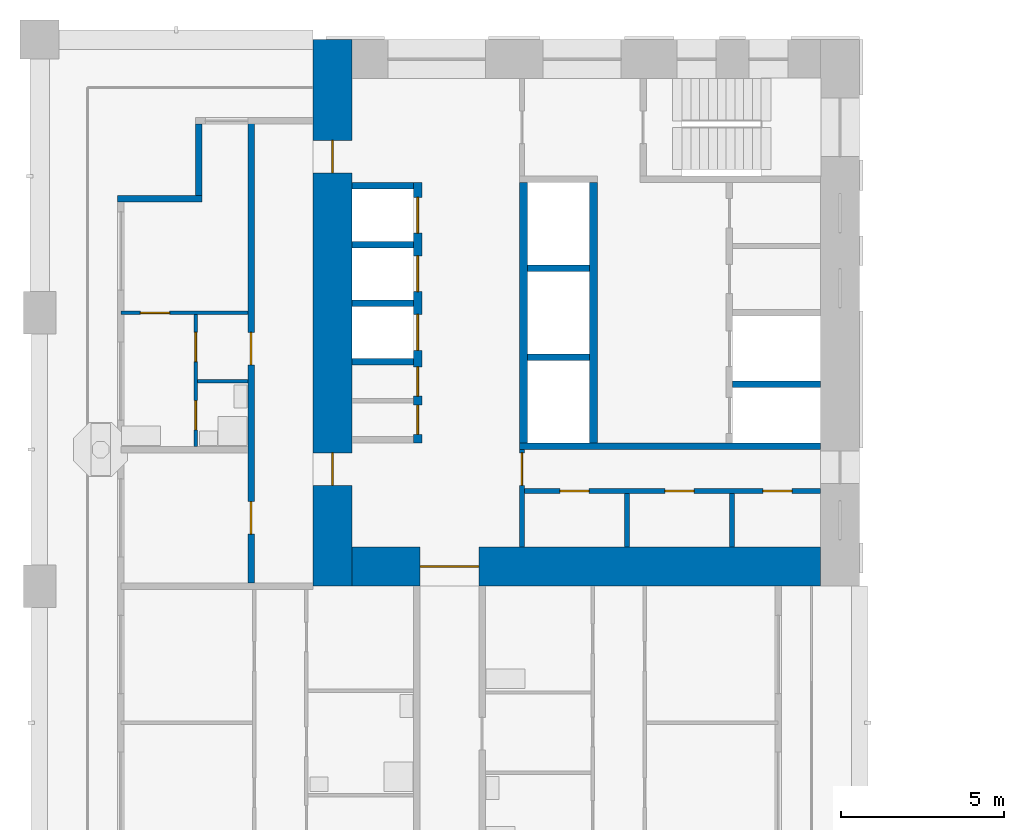
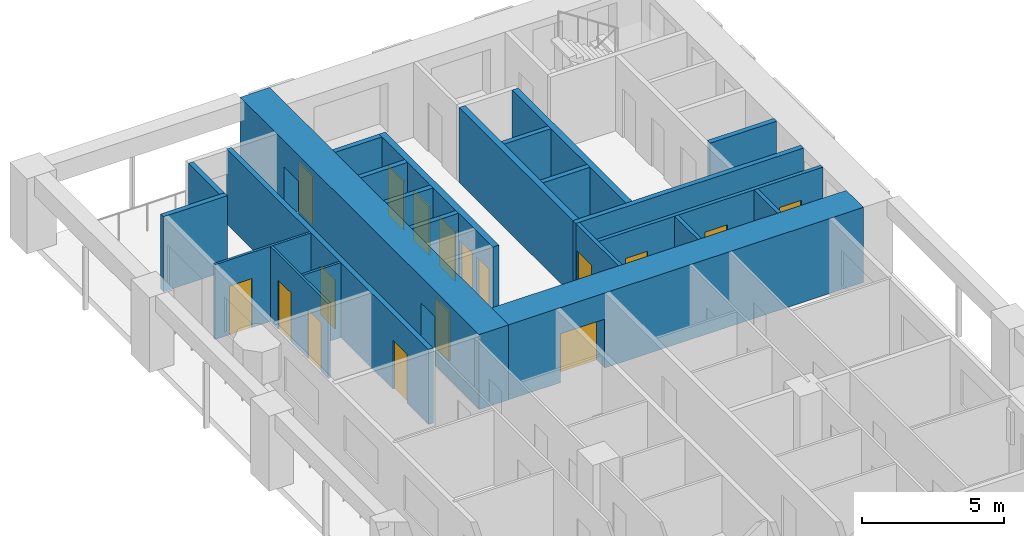
# One storey, part 7 of 19: 23 walls, 17 doors, 17 openings.
"""IFC4 building model written with IfcOpenShell, lengths in metres."""

from ifc_helpers import new_model, si_unit, direction, frame, frame_2d, origin, place, context, subcontext, project, spatial, rectangle, extrude, material, layer, layer_set, type_object, element, fill, save


model = new_model("IFC4")

# Units and contexts
model_context = context("Model", 3, precision=1e-05, world=origin(), true_north=direction((0.0, 1.0)))
body_context = subcontext(model_context, "Body", "Model", "MODEL_VIEW")
ifc_project = project(units=[si_unit("LENGTHUNIT", "METRE"), si_unit("AREAUNIT", "SQUARE_METRE"), si_unit("VOLUMEUNIT", "CUBIC_METRE"), si_unit("PLANEANGLEUNIT", "RADIAN"), si_unit("MASSUNIT", "GRAM", prefix="KILO")], contexts=[model_context])

# Site, building, storey
site_placement = place(None, origin())
site = spatial("IfcSite", under=ifc_project, at=site_placement, CompositionType="ELEMENT")
building_placement = place(site_placement, origin())
building = spatial("IfcBuilding", under=site, at=building_placement, Name="Vermilion Gate Residences", CompositionType="ELEMENT")
storey_placement = place(building_placement, frame((0.0, 0.0, 119.699951171875)))
storey = spatial("IfcBuildingStorey", under=building, at=storey_placement, Name="L30", CompositionType="ELEMENT", Elevation=119.699951171875)

# Wall, opening, door
ifc_material_1 = material(Name="Masonry blockwork", Category="masonry")
ifc_layer_1 = layer(ifc_material_1, 0.14990234375)
ifc_layer_set_1 = layer_set([ifc_layer_1], Name="BLOCKWORK PARTITION 150 EI 120")
wall_type_1 = type_object("IfcWallType", Name="BLOCKWORK PARTITION 150 EI 120", PredefinedType="PARTITIONING", material=ifc_layer_set_1)
wall_1_placement = place(storey_placement, frame((14.824951171875, 46.199951171875, 0.0), z_axis=(0.0, 0.0, 1.0), x_axis=(0.0, -1.0, 0.0)))
wall_1 = element("IfcWall", 1, at=wall_1_placement, inside=storey, type_object=wall_type_1, Name="Core room partition B30-ES-S", PredefinedType="PARTITIONING", context=body_context, shape_type="SweptSolid", body=[
    extrude(rectangle(XDim=3.0, YDim=0.14990234375, at=frame_2d((1.5, 0.0))), origin(), (0.0, 0.0, 1.0), 3.219970703125),
])
opening_1_placement = place(wall_1_placement, frame((0.10009765625, 0.0, 0.0)))
opening_1 = element("IfcOpeningElement", 2, at=opening_1_placement, cuts=wall_1, Name="Opening DK30115", PredefinedType="OPENING", context=body_context, shape_type="SweptSolid", body=[
    extrude(rectangle(XDim=1.0, YDim=2.10009765625, at=frame_2d((0.5, 1.050048828125))), frame((0.0, 0.0849609375, 0.0), z_axis=(0.0, -1.0, 0.0), x_axis=(1.0, 0.0, 0.0)), (0.0, 0.0, 1.0), 0.169921875),
])
ifc_material_2 = material(Name="Steel", Category="steel")
door_type_1 = type_object("IfcDoorType", Name="FIRE DOOR FD60 1000 X 2100", OperationType="SINGLE_SWING_LEFT", PredefinedType="DOOR", material=ifc_material_2)
door_1_placement = place(opening_1_placement, frame((1.0, 0.0, 0.0), z_axis=(0.0, 0.0, 1.0), x_axis=(-1.0, 0.0, 0.0)))
door_1 = element("IfcDoor", 3, at=door_1_placement, inside=storey, type_object=door_type_1, Name="Service corridor door B30", OperationType="SINGLE_SWING_LEFT", OverallHeight=2.10009765625, OverallWidth=1.0, PredefinedType="DOOR", context=body_context, shape_type="SweptSolid", body=[
    extrude(rectangle(XDim=1.0, YDim=2.10009765625, at=frame_2d((0.5, 1.050048828125))), frame((0.0, 0.02490234375, 0.0), z_axis=(0.0, -1.0, 0.0), x_axis=(1.0, 0.0, 0.0)), (0.0, 0.0, 1.0), 0.050048828125),
])
fill(opening_1, door_1)

# Walls
for number, where, z_axis, x_axis, name in (
    (4, (18.054931640625, 44.85009765625, 0.0), (0.0, 0.0, 1.0), (0.0, -1.0, 0.0), "Core room partition B30-ES-P0"),
    (5, (21.284912109375, 44.85009765625, 0.0), (0.0, 0.0, 1.0), (0.0, -1.0, 0.0), "Core room partition B30-ES-P1"),
):
    element("IfcWall", number, at=place(storey_placement, frame(where, z_axis=z_axis, x_axis=x_axis)), inside=storey, type_object=wall_type_1, Name=name, PredefinedType="PARTITIONING", context=body_context, shape_type="SweptSolid", body=[
        extrude(rectangle(XDim=1.650146484375, YDim=0.14990234375, at=frame_2d((0.8251953125, 0.0))), origin(), (0.0, 0.0, 1.0), 3.219970703125),
    ])

# Wall, openings, doors
wall_2_placement = place(storey_placement, frame((14.89990234375, 44.925048828125, 0.0), z_axis=(0.0, 0.0, 1.0), x_axis=(1.0, 0.0, 0.0)))
wall_2 = element("IfcWall", 6, at=wall_2_placement, inside=storey, type_object=wall_type_1, Name="Core room partition B30-ES-W", PredefinedType="PARTITIONING", context=body_context, shape_type="SweptSolid", body=[
    extrude(rectangle(XDim=9.10009765625, YDim=0.14990234375, at=frame_2d((4.550048828125, 0.0))), origin(), (0.0, 0.0, 1.0), 3.219970703125),
])
opening_2_placement = place(wall_2_placement, frame((1.090087890625, 0.0, 0.0)))
opening_2 = element("IfcOpeningElement", 7, at=opening_2_placement, cuts=wall_2, Name="Opening DK30116", PredefinedType="OPENING", context=body_context, shape_type="SweptSolid", body=[
    extrude(rectangle(XDim=0.89990234375, YDim=2.10009765625, at=frame_2d((0.449951171875, 1.050048828125))), frame((0.0, 0.0849609375, 0.0), z_axis=(0.0, -1.0, 0.0), x_axis=(1.0, 0.0, 0.0)), (0.0, 0.0, 1.0), 0.169921875),
])
opening_3_placement = place(wall_2_placement, frame((4.320068359375, 0.0, 0.0)))
opening_3 = element("IfcOpeningElement", 8, at=opening_3_placement, cuts=wall_2, Name="Opening DK30117", PredefinedType="OPENING", context=body_context, shape_type="SweptSolid", body=[
    extrude(rectangle(XDim=0.89990234375, YDim=2.10009765625, at=frame_2d((0.449951171875, 1.050048828125))), frame((0.0, 0.0849609375, 0.0), z_axis=(0.0, -1.0, 0.0), x_axis=(1.0, 0.0, 0.0)), (0.0, 0.0, 1.0), 0.169921875),
])
opening_4_placement = place(wall_2_placement, frame((7.330078125, 0.0, 0.0)))
opening_4 = element("IfcOpeningElement", 9, at=opening_4_placement, cuts=wall_2, Name="Opening DK30118", PredefinedType="OPENING", context=body_context, shape_type="SweptSolid", body=[
    extrude(rectangle(XDim=0.89990234375, YDim=2.10009765625, at=frame_2d((0.449951171875, 1.050048828125))), frame((0.0, 0.0849609375, 0.0), z_axis=(0.0, -1.0, 0.0), x_axis=(1.0, 0.0, 0.0)), (0.0, 0.0, 1.0), 0.169921875),
])
ifc_material_3 = material(Name="Steel", Category="steel")
door_type_2 = type_object("IfcDoorType", Name="SERVICE ROOM DOOR FD60 900 X 2100", OperationType="SINGLE_SWING_LEFT", PredefinedType="DOOR", material=ifc_material_3)
door_2_placement = place(opening_2_placement, frame((0.89990234375, 0.0, 0.0), z_axis=(0.0, 0.0, 1.0), x_axis=(-1.0, 0.0, 0.0)))
door_2 = element("IfcDoor", 10, at=door_2_placement, inside=storey, type_object=door_type_2, Name="Parcel room B30", OperationType="SINGLE_SWING_LEFT", OverallHeight=2.10009765625, OverallWidth=0.89990234375, PredefinedType="DOOR", context=body_context, shape_type="SweptSolid", body=[
    extrude(rectangle(XDim=0.89990234375, YDim=2.10009765625, at=frame_2d((0.449951171875, 1.050048828125))), frame((0.0, 0.02490234375, 0.0), z_axis=(0.0, -1.0, 0.0), x_axis=(1.0, 0.0, 0.0)), (0.0, 0.0, 1.0), 0.050048828125),
])
fill(opening_2, door_2)
door_3_placement = place(opening_3_placement, frame((0.89990234375, 0.0, 0.0), z_axis=(0.0, 0.0, 1.0), x_axis=(-1.0, 0.0, 0.0)))
door_3 = element("IfcDoor", 11, at=door_3_placement, inside=storey, type_object=door_type_2, Name="Cleaner's store B30", OperationType="SINGLE_SWING_RIGHT", OverallHeight=2.10009765625, OverallWidth=0.89990234375, PredefinedType="DOOR", context=body_context, shape_type="SweptSolid", body=[
    extrude(rectangle(XDim=0.89990234375, YDim=2.10009765625, at=frame_2d((0.449951171875, 1.050048828125))), frame((0.0, 0.02490234375, 0.0), z_axis=(0.0, -1.0, 0.0), x_axis=(1.0, 0.0, 0.0)), (0.0, 0.0, 1.0), 0.050048828125),
])
fill(opening_3, door_3)
door_4_placement = place(opening_4_placement, frame((0.89990234375, 0.0, 0.0), z_axis=(0.0, 0.0, 1.0), x_axis=(-1.0, 0.0, 0.0)))
door_4 = element("IfcDoor", 12, at=door_4_placement, inside=storey, type_object=door_type_2, Name="Electrical room B30", OperationType="SINGLE_SWING_LEFT", OverallHeight=2.10009765625, OverallWidth=0.89990234375, PredefinedType="DOOR", context=body_context, shape_type="SweptSolid", body=[
    extrude(rectangle(XDim=0.89990234375, YDim=2.10009765625, at=frame_2d((0.449951171875, 1.050048828125))), frame((0.0, 0.02490234375, 0.0), z_axis=(0.0, -1.0, 0.0), x_axis=(1.0, 0.0, 0.0)), (0.0, 0.0, 1.0), 0.050048828125),
])
fill(opening_4, door_4)

# Walls
ifc_material_4 = material(Name="Insulated steel stud wall with terracotta rainscreen", Category="masonry")
ifc_layer_2 = layer(ifc_material_4, 0.199951171875)
ifc_layer_set_2 = layer_set([ifc_layer_2], Name="EXTERNAL WALL 200 TERRACOTTA RAINSCREEN")
wall_type_2 = type_object("IfcWallType", Name="EXTERNAL WALL 200 TERRACOTTA RAINSCREEN", PredefinedType="SOLIDWALL", material=ifc_layer_set_2)
wall_3_placement = place(storey_placement, frame((4.89990234375, 56.199951171875, 0.0), z_axis=(0.0, 0.0, 1.0), x_axis=(0.0, -1.0, 0.0)))
element("IfcWall", 13, at=wall_3_placement, inside=storey, type_object=wall_type_2, Name="External wall", PredefinedType="SOLIDWALL", context=body_context, shape_type="SweptSolid", body=[
    extrude(rectangle(XDim=2.199951171875, YDim=0.199951171875, at=frame_2d((1.10009765625, 0.0))), origin(), (0.0, 0.0, 1.0), 3.219970703125),
])
wall_4_placement = place(storey_placement, frame((5.0, 53.89990234375, 0.0), z_axis=(0.0, 0.0, 1.0), x_axis=(-1.0, 0.0, 0.0)))
element("IfcWall", 14, at=wall_4_placement, inside=storey, type_object=wall_type_2, Name="External wall", PredefinedType="SOLIDWALL", context=body_context, shape_type="SweptSolid", body=[
    extrude(rectangle(XDim=2.60009765625, YDim=0.199951171875, at=frame_2d((1.300048828125, 0.0))), origin(), (0.0, 0.0, 1.0), 3.219970703125),
])
ifc_material_5 = material(Name="Plasterboard on steel studs", Category="steel")
ifc_layer_3 = layer(ifc_material_5, 0.10009765625)
ifc_layer_set_3 = layer_set([ifc_layer_3], Name="PARTITION 100")
wall_type_3 = type_object("IfcWallType", Name="PARTITION 100", PredefinedType="PARTITIONING", material=ifc_layer_set_3)
wall_5_placement = place(storey_placement, frame((4.85009765625, 48.300048828125, 0.0), z_axis=(0.0, 0.0, 1.0), x_axis=(1.0, 0.0, 0.0)))
element("IfcWall", 15, at=wall_5_placement, inside=storey, type_object=wall_type_3, Name="Partition", PredefinedType="PARTITIONING", context=body_context, shape_type="SweptSolid", body=[
    extrude(rectangle(XDim=1.5498046875, YDim=0.10009765625, at=frame_2d((0.77490234375, 0.0))), origin(), (0.0, 0.0, 1.0), 3.219970703125),
])

# Wall, opening, door
wall_6_placement = place(storey_placement, frame((2.5, 50.39990234375, 0.0), z_axis=(0.0, 0.0, 1.0), x_axis=(1.0, 0.0, 0.0)))
wall_6 = element("IfcWall", 16, at=wall_6_placement, inside=storey, type_object=wall_type_3, Name="Partition", PredefinedType="PARTITIONING", context=body_context, shape_type="SweptSolid", body=[
    extrude(rectangle(XDim=3.89990234375, YDim=0.10009765625, at=frame_2d((1.949951171875, 0.0))), origin(), (0.0, 0.0, 1.0), 3.219970703125),
])
opening_5_placement = place(wall_6_placement, frame((0.60009765625, 0.0, 0.0)))
opening_5 = element("IfcOpeningElement", 17, at=opening_5_placement, cuts=wall_6, Name="Opening DA30017", PredefinedType="OPENING", context=body_context, shape_type="SweptSolid", body=[
    extrude(rectangle(XDim=0.89990234375, YDim=2.10009765625, at=frame_2d((0.449951171875, 1.050048828125))), frame((0.0, 0.06005859375, 0.0), z_axis=(0.0, -1.0, 0.0), x_axis=(1.0, 0.0, 0.0)), (0.0, 0.0, 1.0), 0.1201171875),
])
ifc_material_6 = material(Name="Timber", Category="wood")
door_type_3 = type_object("IfcDoorType", Name="INTERIOR DOOR 900 X 2100", OperationType="SINGLE_SWING_LEFT", PredefinedType="DOOR", material=ifc_material_6)
door_5_placement = place(opening_5_placement, frame((0.89990234375, 0.0, 0.0), z_axis=(0.0, 0.0, 1.0), x_axis=(-1.0, 0.0, 0.0)))
door_5 = element("IfcDoor", 18, at=door_5_placement, inside=storey, type_object=door_type_3, Name="Interior door", OperationType="SINGLE_SWING_RIGHT", OverallHeight=2.10009765625, OverallWidth=0.89990234375, PredefinedType="DOOR", context=body_context, shape_type="SweptSolid", body=[
    extrude(rectangle(XDim=0.89990234375, YDim=2.10009765625, at=frame_2d((0.449951171875, 1.050048828125))), frame((0.0, 0.02490234375, 0.0), z_axis=(0.0, -1.0, 0.0), x_axis=(1.0, 0.0, 0.0)), (0.0, 0.0, 1.0), 0.050048828125),
])
fill(opening_5, door_5)

# Wall, openings, doors
wall_7_placement = place(storey_placement, frame((4.800048828125, 46.300048828125, 0.0), z_axis=(0.0, 0.0, 1.0), x_axis=(0.0, 1.0, 0.0)))
wall_7 = element("IfcWall", 19, at=wall_7_placement, inside=storey, type_object=wall_type_3, Name="Partition", PredefinedType="PARTITIONING", context=body_context, shape_type="SweptSolid", body=[
    extrude(rectangle(XDim=4.050048828125, YDim=0.10009765625, at=frame_2d((2.02490234375, 0.0))), origin(), (0.0, 0.0, 1.0), 3.219970703125),
])
opening_6_placement = place(wall_7_placement, frame((2.60009765625, 0.0, 0.0)))
opening_6 = element("IfcOpeningElement", 20, at=opening_6_placement, cuts=wall_7, Name="Opening DA30018", PredefinedType="OPENING", context=body_context, shape_type="SweptSolid", body=[
    extrude(rectangle(XDim=0.89990234375, YDim=2.10009765625, at=frame_2d((0.449951171875, 1.050048828125))), frame((0.0, 0.06005859375, 0.0), z_axis=(0.0, -1.0, 0.0), x_axis=(1.0, 0.0, 0.0)), (0.0, 0.0, 1.0), 0.1201171875),
])
opening_7_placement = place(wall_7_placement, frame((0.5, 0.0, 0.0)))
opening_7 = element("IfcOpeningElement", 21, at=opening_7_placement, cuts=wall_7, Name="Opening DA30019", PredefinedType="OPENING", context=body_context, shape_type="SweptSolid", body=[
    extrude(rectangle(XDim=0.89990234375, YDim=2.10009765625, at=frame_2d((0.449951171875, 1.050048828125))), frame((0.0, 0.06005859375, 0.0), z_axis=(0.0, -1.0, 0.0), x_axis=(1.0, 0.0, 0.0)), (0.0, 0.0, 1.0), 0.1201171875),
])
door_6_placement = place(opening_6_placement, origin())
door_6 = element("IfcDoor", 22, at=door_6_placement, inside=storey, type_object=door_type_3, Name="Interior door", OperationType="SINGLE_SWING_RIGHT", OverallHeight=2.10009765625, OverallWidth=0.89990234375, PredefinedType="DOOR", context=body_context, shape_type="SweptSolid", body=[
    extrude(rectangle(XDim=0.89990234375, YDim=2.10009765625, at=frame_2d((0.449951171875, 1.050048828125))), frame((0.0, 0.02490234375, 0.0), z_axis=(0.0, -1.0, 0.0), x_axis=(1.0, 0.0, 0.0)), (0.0, 0.0, 1.0), 0.050048828125),
])
fill(opening_6, door_6)
door_7_placement = place(opening_7_placement, frame((0.89990234375, 0.0, 0.0), z_axis=(0.0, 0.0, 1.0), x_axis=(-1.0, 0.0, 0.0)))
door_7 = element("IfcDoor", 23, at=door_7_placement, inside=storey, type_object=door_type_3, Name="Interior door", OperationType="SINGLE_SWING_RIGHT", OverallHeight=2.10009765625, OverallWidth=0.89990234375, PredefinedType="DOOR", context=body_context, shape_type="SweptSolid", body=[
    extrude(rectangle(XDim=0.89990234375, YDim=2.10009765625, at=frame_2d((0.449951171875, 1.050048828125))), frame((0.0, 0.02490234375, 0.0), z_axis=(0.0, -1.0, 0.0), x_axis=(1.0, 0.0, 0.0)), (0.0, 0.0, 1.0), 0.050048828125),
])
fill(opening_7, door_7)

ifc_material_7 = material(Name="Fire-rated plasterboard on steel studs", Category="steel")
ifc_layer_4 = layer(ifc_material_7, 0.199951171875)
ifc_layer_set_4 = layer_set([ifc_layer_4], Name="PARTY WALL 200 EI 120")
wall_type_4 = type_object("IfcWallType", Name="PARTY WALL 200 EI 120", PredefinedType="PARTITIONING", material=ifc_layer_set_4)
wall_8_placement = place(storey_placement, frame((6.5, 42.10009765625, 0.0), z_axis=(0.0, 0.0, 1.0), x_axis=(0.0, 1.0, 0.0)))
wall_8 = element("IfcWall", 24, at=wall_8_placement, inside=storey, type_object=wall_type_4, Name="Party and corridor wall", PredefinedType="PARTITIONING", context=body_context, shape_type="SweptSolid", body=[
    extrude(rectangle(XDim=14.199951171875, YDim=0.199951171875, at=frame_2d((7.10009765625, 0.0))), origin(), (0.0, 0.0, 1.0), 3.219970703125),
])
opening_8_placement = place(wall_8_placement, frame((1.5, 0.0, 0.0)))
opening_8 = element("IfcOpeningElement", 25, at=opening_8_placement, cuts=wall_8, Name="Opening DA30020", PredefinedType="OPENING", context=body_context, shape_type="SweptSolid", body=[
    extrude(rectangle(XDim=1.0, YDim=2.10009765625, at=frame_2d((0.5, 1.050048828125))), frame((0.0, 0.10986328125, 0.0), z_axis=(0.0, -1.0, 0.0), x_axis=(1.0, 0.0, 0.0)), (0.0, 0.0, 1.0), 0.219970703125),
])
opening_9_placement = place(wall_8_placement, frame((6.699951171875, 0.0, 0.0)))
opening_9 = element("IfcOpeningElement", 26, at=opening_9_placement, cuts=wall_8, Name="Opening DA30021", PredefinedType="OPENING", context=body_context, shape_type="SweptSolid", body=[
    extrude(rectangle(XDim=1.0, YDim=2.10009765625, at=frame_2d((0.5, 1.050048828125))), frame((0.0, 0.10986328125, 0.0), z_axis=(0.0, -1.0, 0.0), x_axis=(1.0, 0.0, 0.0)), (0.0, 0.0, 1.0), 0.219970703125),
])
ifc_material_8 = material(Name="Steel", Category="steel")
door_type_4 = type_object("IfcDoorType", Name="ENTRANCE DOOR 1000 X 2100 FD30", OperationType="SINGLE_SWING_LEFT", PredefinedType="DOOR", material=ifc_material_8)
door_8_placement = place(opening_8_placement, origin())
door_8 = element("IfcDoor", 27, at=door_8_placement, inside=storey, type_object=door_type_4, Name="Entrance door", OperationType="SINGLE_SWING_LEFT", OverallHeight=2.10009765625, OverallWidth=1.0, PredefinedType="DOOR", context=body_context, shape_type="SweptSolid", body=[
    extrude(rectangle(XDim=1.0, YDim=2.10009765625, at=frame_2d((0.5, 1.050048828125))), frame((0.0, 0.02490234375, 0.0), z_axis=(0.0, -1.0, 0.0), x_axis=(1.0, 0.0, 0.0)), (0.0, 0.0, 1.0), 0.050048828125),
])
fill(opening_8, door_8)
door_9_placement = place(opening_9_placement, origin())
door_9 = element("IfcDoor", 28, at=door_9_placement, inside=storey, type_object=door_type_4, Name="Entrance door", OperationType="SINGLE_SWING_LEFT", OverallHeight=2.10009765625, OverallWidth=1.0, PredefinedType="DOOR", context=body_context, shape_type="SweptSolid", body=[
    extrude(rectangle(XDim=1.0, YDim=2.10009765625, at=frame_2d((0.5, 1.050048828125))), frame((0.0, 0.02490234375, 0.0), z_axis=(0.0, -1.0, 0.0), x_axis=(1.0, 0.0, 0.0)), (0.0, 0.0, 1.0), 0.050048828125),
])
fill(opening_9, door_9)

# Walls
ifc_material_9 = material(Name="Concrete C60", Category="concrete")
ifc_layer_5 = layer(ifc_material_9, 0.199951171875)
ifc_layer_set_5 = layer_set([ifc_layer_5], Name="RC CORE INTERNAL WALL 200 C60")
wall_type_5 = type_object("IfcWallType", Name="RC CORE INTERNAL WALL 200 C60", PredefinedType="SHEAR", material=ifc_layer_set_5)
for number, where, z_axis, x_axis, name in (
    (29, (9.60009765625, 54.300048828125, 0.0), (0.0, 0.0, 1.0), (1.0, 0.0, 0.0), "Core internal wall B30-LR-D0"),
    (30, (9.60009765625, 52.5, 0.0), (0.0, 0.0, 1.0), (1.0, 0.0, 0.0), "Core internal wall B30-LR-D1"),
    (31, (9.60009765625, 50.699951171875, 0.0), (0.0, 0.0, 1.0), (1.0, 0.0, 0.0), "Core internal wall B30-LR-D2"),
    (32, (9.60009765625, 48.89990234375, 0.0), (0.0, 0.0, 1.0), (1.0, 0.0, 0.0), "Core internal wall B30-LR-D3"),
    (33, (15.0, 51.7666015625, 0.0), (0.0, 0.0, 1.0), (1.0, 0.0, 0.0), "Core internal wall B30-HR-D1"),
    (34, (15.0, 49.033447265625, 0.0), (0.0, 0.0, 1.0), (1.0, 0.0, 0.0), "Core internal wall B30-HR-D2"),
):
    element("IfcWall", number, at=place(storey_placement, frame(where, z_axis=z_axis, x_axis=x_axis)), inside=storey, type_object=wall_type_5, Name=name, PredefinedType="SHEAR", context=body_context, shape_type="SweptSolid", body=[
        extrude(rectangle(XDim=1.89990234375, YDim=0.199951171875, at=frame_2d((0.949951171875, 0.0))), origin(), (0.0, 0.0, 1.0), 3.219970703125),
    ])
wall_9_placement = place(storey_placement, frame((21.300048828125, 48.199951171875, 0.0), z_axis=(0.0, 0.0, 1.0), x_axis=(1.0, 0.0, 0.0)))
element("IfcWall", 35, at=wall_9_placement, inside=storey, type_object=wall_type_5, Name="Core internal wall B30-FF-D1", PredefinedType="SHEAR", context=body_context, shape_type="SweptSolid", body=[
    extrude(rectangle(XDim=2.699951171875, YDim=0.199951171875, at=frame_2d((1.35009765625, 0.0))), origin(), (0.0, 0.0, 1.0), 3.219970703125),
])
wall_10_placement = place(storey_placement, frame((14.75, 46.300048828125, 0.0), z_axis=(0.0, 0.0, 1.0), x_axis=(1.0, 0.0, 0.0)))
element("IfcWall", 36, at=wall_10_placement, inside=storey, type_object=wall_type_5, Name="Core internal wall B30-EDIV", PredefinedType="SHEAR", context=body_context, shape_type="SweptSolid", body=[
    extrude(rectangle(XDim=9.25, YDim=0.199951171875, at=frame_2d((4.625, 0.0))), origin(), (0.0, 0.0, 1.0), 3.219970703125),
])

# Wall, openings, doors
ifc_material_10 = material(Name="Concrete C70", Category="concrete")
ifc_layer_6 = layer(ifc_material_10, 1.199951171875)
ifc_layer_set_6 = layer_set([ifc_layer_6], Name="RC CORE WALL 1200 C70")
wall_type_6 = type_object("IfcWallType", Name="RC CORE WALL 1200 C70", PredefinedType="SHEAR", material=ifc_layer_set_6)
wall_11_placement = place(storey_placement, frame((9.0, 58.800048828125, 0.0), z_axis=(0.0, 0.0, 1.0), x_axis=(0.0, -1.0, 0.0)))
wall_11 = element("IfcWall", 37, at=wall_11_placement, inside=storey, type_object=wall_type_6, Name="Core wall B30-OUT-B0", PredefinedType="SHEAR", context=body_context, shape_type="SweptSolid", body=[
    extrude(rectangle(XDim=16.800048828125, YDim=1.199951171875, at=frame_2d((8.39990234375, 0.0))), origin(), (0.0, 0.0, 1.0), 3.219970703125),
])
opening_10_placement = place(wall_11_placement, frame((3.10009765625, 0.0, 0.0)))
opening_10 = element("IfcOpeningElement", 38, at=opening_10_placement, cuts=wall_11, Name="Opening DK30101", PredefinedType="OPENING", context=body_context, shape_type="SweptSolid", body=[
    extrude(rectangle(XDim=1.0, YDim=2.10009765625, at=frame_2d((0.5, 1.050048828125))), frame((0.0, 0.60986328125, 0.0), z_axis=(0.0, -1.0, 0.0), x_axis=(1.0, 0.0, 0.0)), (0.0, 0.0, 1.0), 1.219970703125),
])
opening_11_placement = place(wall_11_placement, frame((12.699951171875, 0.0, 0.0)))
opening_11 = element("IfcOpeningElement", 39, at=opening_11_placement, cuts=wall_11, Name="Opening DK30102", PredefinedType="OPENING", context=body_context, shape_type="SweptSolid", body=[
    extrude(rectangle(XDim=1.0, YDim=2.10009765625, at=frame_2d((0.5, 1.050048828125))), frame((0.0, 0.60986328125, 0.0), z_axis=(0.0, -1.0, 0.0), x_axis=(1.0, 0.0, 0.0)), (0.0, 0.0, 1.0), 1.219970703125),
])
door_10_placement = place(opening_10_placement, origin())
door_10 = element("IfcDoor", 40, at=door_10_placement, inside=storey, type_object=door_type_1, Name="Core lobby side door B30", OperationType="SINGLE_SWING_RIGHT", OverallHeight=2.10009765625, OverallWidth=1.0, PredefinedType="DOOR", context=body_context, shape_type="SweptSolid", body=[
    extrude(rectangle(XDim=1.0, YDim=2.10009765625, at=frame_2d((0.5, 1.050048828125))), frame((0.0, 0.02490234375, 0.0), z_axis=(0.0, -1.0, 0.0), x_axis=(1.0, 0.0, 0.0)), (0.0, 0.0, 1.0), 0.050048828125),
])
fill(opening_10, door_10)
door_11_placement = place(opening_11_placement, origin())
door_11 = element("IfcDoor", 41, at=door_11_placement, inside=storey, type_object=door_type_1, Name="Core lobby side door B30", OperationType="SINGLE_SWING_LEFT", OverallHeight=2.10009765625, OverallWidth=1.0, PredefinedType="DOOR", context=body_context, shape_type="SweptSolid", body=[
    extrude(rectangle(XDim=1.0, YDim=2.10009765625, at=frame_2d((0.5, 1.050048828125))), frame((0.0, 0.02490234375, 0.0), z_axis=(0.0, -1.0, 0.0), x_axis=(1.0, 0.0, 0.0)), (0.0, 0.0, 1.0), 0.050048828125),
])
fill(opening_11, door_11)

# Wall, opening, door
wall_12_placement = place(storey_placement, frame((9.60009765625, 42.60009765625, 0.0), z_axis=(0.0, 0.0, 1.0), x_axis=(1.0, 0.0, 0.0)))
wall_12 = element("IfcWall", 42, at=wall_12_placement, inside=storey, type_object=wall_type_6, Name="Core wall B30-OUT-BK", PredefinedType="SHEAR", context=body_context, shape_type="SweptSolid", body=[
    extrude(rectangle(XDim=14.39990234375, YDim=1.199951171875, at=frame_2d((7.199951171875, 0.0))), origin(), (0.0, 0.0, 1.0), 3.219970703125),
])
opening_12_placement = place(wall_12_placement, frame((2.10009765625, 0.0, 0.0)))
opening_12 = element("IfcOpeningElement", 43, at=opening_12_placement, cuts=wall_12, Name="Opening DK30103", PredefinedType="OPENING", context=body_context, shape_type="SweptSolid", body=[
    extrude(rectangle(XDim=1.800048828125, YDim=2.10009765625, at=frame_2d((0.89990234375, 1.050048828125))), frame((0.0, 0.60986328125, 0.0), z_axis=(0.0, -1.0, 0.0), x_axis=(1.0, 0.0, 0.0)), (0.0, 0.0, 1.0), 1.219970703125),
])
ifc_material_11 = material(Name="Steel", Category="steel")
door_type_5 = type_object("IfcDoorType", Name="CORE LOBBY DOOR FD60 1800 X 2100", OperationType="DOUBLE_DOOR_SINGLE_SWING", PredefinedType="DOOR", material=ifc_material_11)
door_12_placement = place(opening_12_placement, origin())
door_12 = element("IfcDoor", 44, at=door_12_placement, inside=storey, type_object=door_type_5, Name="Core lobby door B30", OperationType="DOUBLE_DOOR_SINGLE_SWING", OverallHeight=2.10009765625, OverallWidth=1.800048828125, PredefinedType="DOOR", context=body_context, shape_type="SweptSolid", body=[
    extrude(rectangle(XDim=1.800048828125, YDim=2.10009765625, at=frame_2d((0.89990234375, 1.050048828125))), frame((0.0, 0.02490234375, 0.0), z_axis=(0.0, -1.0, 0.0), x_axis=(1.0, 0.0, 0.0)), (0.0, 0.0, 1.0), 0.050048828125),
])
fill(opening_12, door_12)

# Wall, openings, doors
ifc_material_12 = material(Name="Concrete C60", Category="concrete")
ifc_layer_7 = layer(ifc_material_12, 0.25)
ifc_layer_set_7 = layer_set([ifc_layer_7], Name="RC LIFT SHAFT WALL 250 C60")
wall_type_7 = type_object("IfcWallType", Name="RC LIFT SHAFT WALL 250 C60", PredefinedType="SHEAR", material=ifc_layer_set_7)
wall_13_placement = place(storey_placement, frame((11.625, 54.39990234375, 0.0), z_axis=(0.0, 0.0, 1.0), x_axis=(0.0, -1.0, 0.0)))
wall_13 = element("IfcWall", 45, at=wall_13_placement, inside=storey, type_object=wall_type_7, Name="Lift shaft wall B30-LR-F", PredefinedType="SHEAR", context=body_context, shape_type="SweptSolid", body=[
    extrude(rectangle(XDim=8.0, YDim=0.25, at=frame_2d((4.0, 0.0))), origin(), (0.0, 0.0, 1.0), 3.219970703125),
])
opening_13_placement = place(wall_13_placement, frame((0.449951171875, 0.0, 0.0)))
opening_13 = element("IfcOpeningElement", 46, at=opening_13_placement, cuts=wall_13, Name="Opening LD", PredefinedType="OPENING", context=body_context, shape_type="SweptSolid", body=[
    extrude(rectangle(XDim=1.10009765625, YDim=2.10009765625, at=frame_2d((0.550048828125, 1.050048828125))), frame((0.0, 0.135009765625, 0.0), z_axis=(0.0, -1.0, 0.0), x_axis=(1.0, 0.0, 0.0)), (0.0, 0.0, 1.0), 0.27001953125),
])
opening_14_placement = place(wall_13_placement, frame((2.25, 0.0, 0.0)))
opening_14 = element("IfcOpeningElement", 47, at=opening_14_placement, cuts=wall_13, Name="Opening LD", PredefinedType="OPENING", context=body_context, shape_type="SweptSolid", body=[
    extrude(rectangle(XDim=1.10009765625, YDim=2.10009765625, at=frame_2d((0.550048828125, 1.050048828125))), frame((0.0, 0.135009765625, 0.0), z_axis=(0.0, -1.0, 0.0), x_axis=(1.0, 0.0, 0.0)), (0.0, 0.0, 1.0), 0.27001953125),
])
opening_15_placement = place(wall_13_placement, frame((4.050048828125, 0.0, 0.0)))
opening_15 = element("IfcOpeningElement", 48, at=opening_15_placement, cuts=wall_13, Name="Opening LD", PredefinedType="OPENING", context=body_context, shape_type="SweptSolid", body=[
    extrude(rectangle(XDim=1.10009765625, YDim=2.10009765625, at=frame_2d((0.550048828125, 1.050048828125))), frame((0.0, 0.135009765625, 0.0), z_axis=(0.0, -1.0, 0.0), x_axis=(1.0, 0.0, 0.0)), (0.0, 0.0, 1.0), 0.27001953125),
])
opening_16_placement = place(wall_13_placement, frame((5.66259765625, 0.0, 0.0)))
opening_16 = element("IfcOpeningElement", 49, at=opening_16_placement, cuts=wall_13, Name="Opening DK30107", PredefinedType="OPENING", context=body_context, shape_type="SweptSolid", body=[
    extrude(rectangle(XDim=0.89990234375, YDim=2.10009765625, at=frame_2d((0.449951171875, 1.050048828125))), frame((0.0, 0.135009765625, 0.0), z_axis=(0.0, -1.0, 0.0), x_axis=(1.0, 0.0, 0.0)), (0.0, 0.0, 1.0), 0.27001953125),
])
opening_17_placement = place(wall_13_placement, frame((6.83740234375, 0.0, 0.0)))
opening_17 = element("IfcOpeningElement", 50, at=opening_17_placement, cuts=wall_13, Name="Opening DK30108", PredefinedType="OPENING", context=body_context, shape_type="SweptSolid", body=[
    extrude(rectangle(XDim=0.89990234375, YDim=2.10009765625, at=frame_2d((0.449951171875, 1.050048828125))), frame((0.0, 0.135009765625, 0.0), z_axis=(0.0, -1.0, 0.0), x_axis=(1.0, 0.0, 0.0)), (0.0, 0.0, 1.0), 0.27001953125),
])
ifc_material_13 = material(Name="Stainless steel", Category="steel")
door_type_6 = type_object("IfcDoorType", Name="LIFT LANDING DOOR E60 1100 X 2100", OperationType="DOUBLE_DOOR_SLIDING", PredefinedType="DOOR", material=ifc_material_13)
door_13_placement = place(opening_13_placement, origin())
door_13 = element("IfcDoor", 51, at=door_13_placement, inside=storey, type_object=door_type_6, Name="Lift landing door LRB1", OperationType="DOUBLE_DOOR_SLIDING", OverallHeight=2.10009765625, OverallWidth=1.10009765625, PredefinedType="DOOR", context=body_context, shape_type="SweptSolid", body=[
    extrude(rectangle(XDim=1.10009765625, YDim=2.10009765625, at=frame_2d((0.550048828125, 1.050048828125))), frame((0.0, 0.02490234375, 0.0), z_axis=(0.0, -1.0, 0.0), x_axis=(1.0, 0.0, 0.0)), (0.0, 0.0, 1.0), 0.050048828125),
])
fill(opening_13, door_13)
door_14_placement = place(opening_14_placement, origin())
door_14 = element("IfcDoor", 52, at=door_14_placement, inside=storey, type_object=door_type_6, Name="Lift landing door LRB2", OperationType="DOUBLE_DOOR_SLIDING", OverallHeight=2.10009765625, OverallWidth=1.10009765625, PredefinedType="DOOR", context=body_context, shape_type="SweptSolid", body=[
    extrude(rectangle(XDim=1.10009765625, YDim=2.10009765625, at=frame_2d((0.550048828125, 1.050048828125))), frame((0.0, 0.02490234375, 0.0), z_axis=(0.0, -1.0, 0.0), x_axis=(1.0, 0.0, 0.0)), (0.0, 0.0, 1.0), 0.050048828125),
])
fill(opening_14, door_14)
door_15_placement = place(opening_15_placement, origin())
door_15 = element("IfcDoor", 53, at=door_15_placement, inside=storey, type_object=door_type_6, Name="Lift landing door LRB3", OperationType="DOUBLE_DOOR_SLIDING", OverallHeight=2.10009765625, OverallWidth=1.10009765625, PredefinedType="DOOR", context=body_context, shape_type="SweptSolid", body=[
    extrude(rectangle(XDim=1.10009765625, YDim=2.10009765625, at=frame_2d((0.550048828125, 1.050048828125))), frame((0.0, 0.02490234375, 0.0), z_axis=(0.0, -1.0, 0.0), x_axis=(1.0, 0.0, 0.0)), (0.0, 0.0, 1.0), 0.050048828125),
])
fill(opening_15, door_15)
door_16_placement = place(opening_16_placement, frame((0.89990234375, 0.0, 0.0), z_axis=(0.0, 0.0, 1.0), x_axis=(-1.0, 0.0, 0.0)))
door_16 = element("IfcDoor", 54, at=door_16_placement, inside=storey, type_object=door_type_2, Name="Refuse room B30", OperationType="SINGLE_SWING_LEFT", OverallHeight=2.10009765625, OverallWidth=0.89990234375, PredefinedType="DOOR", context=body_context, shape_type="SweptSolid", body=[
    extrude(rectangle(XDim=0.89990234375, YDim=2.10009765625, at=frame_2d((0.449951171875, 1.050048828125))), frame((0.0, 0.02490234375, 0.0), z_axis=(0.0, -1.0, 0.0), x_axis=(1.0, 0.0, 0.0)), (0.0, 0.0, 1.0), 0.050048828125),
])
fill(opening_16, door_16)
door_17_placement = place(opening_17_placement, frame((0.89990234375, 0.0, 0.0), z_axis=(0.0, 0.0, 1.0), x_axis=(-1.0, 0.0, 0.0)))
door_17 = element("IfcDoor", 55, at=door_17_placement, inside=storey, type_object=door_type_2, Name="Parcel room B30", OperationType="SINGLE_SWING_LEFT", OverallHeight=2.10009765625, OverallWidth=0.89990234375, PredefinedType="DOOR", context=body_context, shape_type="SweptSolid", body=[
    extrude(rectangle(XDim=0.89990234375, YDim=2.10009765625, at=frame_2d((0.449951171875, 1.050048828125))), frame((0.0, 0.02490234375, 0.0), z_axis=(0.0, -1.0, 0.0), x_axis=(1.0, 0.0, 0.0)), (0.0, 0.0, 1.0), 0.050048828125),
])
fill(opening_17, door_17)

# Walls
for number, where, z_axis, x_axis, name in (
    (56, (14.875, 54.39990234375, 0.0), (0.0, 0.0, 1.0), (0.0, -1.0, 0.0), "Lift shaft wall B30-HR-F"),
    (57, (17.02490234375, 54.39990234375, 0.0), (0.0, 0.0, 1.0), (0.0, -1.0, 0.0), "Lift shaft wall B30-HR-B"),
):
    element("IfcWall", number, at=place(storey_placement, frame(where, z_axis=z_axis, x_axis=x_axis)), inside=storey, type_object=wall_type_7, Name=name, PredefinedType="SHEAR", context=body_context, shape_type="SweptSolid", body=[
        extrude(rectangle(XDim=8.0, YDim=0.25, at=frame_2d((4.0, 0.0))), origin(), (0.0, 0.0, 1.0), 3.219970703125),
    ])

save(model, "model.ifc")
